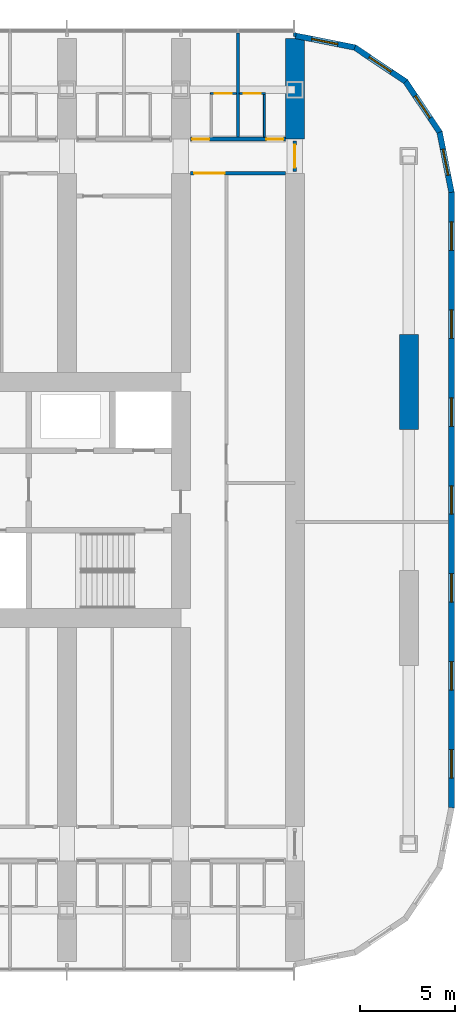
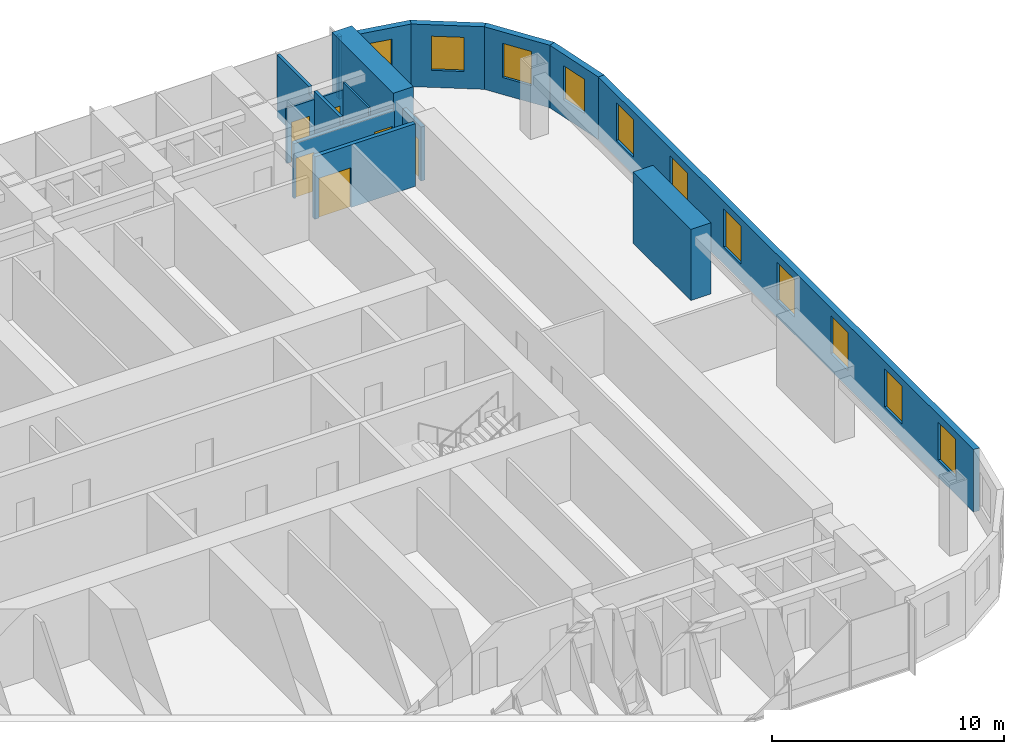
# One storey, part 19 of 24: 15 walls, 11 windows, 6 doors, 17 openings.
"""IFC4 building model written with IfcOpenShell, lengths in metres."""

from ifc_helpers import new_model, si_unit, direction, frame, frame_2d, origin, place, context, subcontext, project, spatial, polyline, rectangle, outline, extrude, material, layer, layer_set, type_object, element, fill, save


model = new_model("IFC4")

# Units and contexts
model_context = context("Model", 3, precision=1e-05, world=origin(), true_north=direction((0.0, 1.0)))
body_context = subcontext(model_context, "Body", "Model", "MODEL_VIEW")
ifc_project = project(units=[si_unit("LENGTHUNIT", "METRE"), si_unit("AREAUNIT", "SQUARE_METRE"), si_unit("VOLUMEUNIT", "CUBIC_METRE"), si_unit("PLANEANGLEUNIT", "RADIAN"), si_unit("MASSUNIT", "GRAM", prefix="KILO")], contexts=[model_context])

# Site, building, storey
site_placement = place(None, origin())
site = spatial("IfcSite", under=ifc_project, at=site_placement, CompositionType="ELEMENT")
building_placement = place(site_placement, origin())
building = spatial("IfcBuilding", under=site, at=building_placement, Name="Orbita Commons", CompositionType="ELEMENT")
storey_placement = place(building_placement, frame((0.0, 0.0, 35.199951171875)))
storey = spatial("IfcBuildingStorey", under=building, at=storey_placement, Name="L08", CompositionType="ELEMENT", Elevation=35.199951171875)

# Wall, openings, doors
ifc_material_1 = material(Name="Concrete blockwork", Category="masonry")
ifc_layer_1 = layer(ifc_material_1, 0.199951171875)
ifc_layer_set_1 = layer_set([ifc_layer_1], Name="Concrete blockwork")
wall_type_1 = type_object("IfcWallType", Name="Corridor wall 200 blockwork", PredefinedType="SOLIDWALL", material=ifc_layer_set_1)
wall_1_placement = place(storey_placement, frame((66.5, 51.0, 0.0), z_axis=(0.0, 0.0, 1.0), x_axis=(1.0, 0.0, 0.0)))
wall_1 = element("IfcWall", 1, at=wall_1_placement, inside=storey, type_object=wall_type_1, Name="Corridor wall 200 blockwork L08", PredefinedType="SOLIDWALL", context=body_context, shape_type="SweptSolid", body=[
    extrude(outline(polyline([(0.0, 0.0), (5.0, 0.0), (5.0, 2.900146484375), (0.0, 2.900146484375), (0.0, 0.0)])), frame((0.0, 0.10009765625, 0.0), z_axis=(0.0, -1.0, 0.0), x_axis=(1.0, 0.0, 0.0)), (0.0, 0.0, 1.0), 0.199951171875),
])
opening_1_placement = place(wall_1_placement, frame((0.10009765625, 0.0, 0.0)))
opening_1 = element("IfcOpeningElement", 2, at=opening_1_placement, cuts=wall_1, Name="Opening D11", PredefinedType="OPENING", context=body_context, shape_type="SweptSolid", body=[
    extrude(rectangle(XDim=0.89990234375, YDim=2.10009765625, at=frame_2d((0.449951171875, 1.050048828125))), frame((0.0, 0.10986328125, 0.0), z_axis=(0.0, -1.0, 0.0), x_axis=(1.0, 0.0, 0.0)), (0.0, 0.0, 1.0), 0.219970703125),
])
opening_2_placement = place(wall_1_placement, frame((4.0, 0.0, 0.0)))
opening_2 = element("IfcOpeningElement", 3, at=opening_2_placement, cuts=wall_1, Name="Opening D11", PredefinedType="OPENING", context=body_context, shape_type="SweptSolid", body=[
    extrude(rectangle(XDim=0.89990234375, YDim=2.10009765625, at=frame_2d((0.449951171875, 1.050048828125))), frame((0.0, 0.10986328125, 0.0), z_axis=(0.0, -1.0, 0.0), x_axis=(1.0, 0.0, 0.0)), (0.0, 0.0, 1.0), 0.219970703125),
])
ifc_material_2 = material(Name="Steel-faced fire door leaf", Category="steel")
door_type_1 = type_object("IfcDoorType", Name="Corridor door 20 min 900x2100", OperationType="SINGLE_SWING_LEFT", PredefinedType="DOOR", material=ifc_material_2)
door_1_placement = place(opening_1_placement, origin())
door_1 = element("IfcDoor", 4, at=door_1_placement, inside=storey, type_object=door_type_1, Name="House bedroom L08-N18 door", OperationType="SINGLE_SWING_LEFT", OverallHeight=2.10009765625, OverallWidth=0.89990234375, PredefinedType="DOOR", context=body_context, shape_type="SweptSolid", body=[
    extrude(rectangle(XDim=0.89990234375, YDim=2.10009765625, at=frame_2d((0.449951171875, 1.050048828125))), frame((0.0, 0.02490234375, 0.0), z_axis=(0.0, -1.0, 0.0), x_axis=(1.0, 0.0, 0.0)), (0.0, 0.0, 1.0), 0.050048828125),
])
fill(opening_1, door_1)
door_2_placement = place(opening_2_placement, origin())
door_2 = element("IfcDoor", 5, at=door_2_placement, inside=storey, type_object=door_type_1, Name="House bedroom L08-N19 door", OperationType="SINGLE_SWING_LEFT", OverallHeight=2.10009765625, OverallWidth=0.89990234375, PredefinedType="DOOR", context=body_context, shape_type="SweptSolid", body=[
    extrude(rectangle(XDim=0.89990234375, YDim=2.10009765625, at=frame_2d((0.449951171875, 1.050048828125))), frame((0.0, 0.02490234375, 0.0), z_axis=(0.0, -1.0, 0.0), x_axis=(1.0, 0.0, 0.0)), (0.0, 0.0, 1.0), 0.050048828125),
])
fill(opening_2, door_2)

# Wall, opening, door
wall_2_placement = place(storey_placement, frame((72.0, 49.300048828125, 0.0), z_axis=(0.0, 0.0, 1.0), x_axis=(0.0, 1.0, 0.0)))
wall_2 = element("IfcWall", 6, at=wall_2_placement, inside=storey, type_object=wall_type_1, Name="Corridor wall 200 blockwork L08", PredefinedType="SOLIDWALL", context=body_context, shape_type="SweptSolid", body=[
    extrude(outline(polyline([(0.0, 0.0), (1.599853515625, 0.0), (1.60009765625, 2.85009765625), (0.0, 2.85009765625), (0.0, 0.0)])), frame((0.0, 0.10009765625, 0.0), z_axis=(0.0, -1.0, 0.0), x_axis=(1.0, 0.0, 0.0)), (0.0, 0.0, 1.0), 0.199951171875),
])
opening_3_placement = place(wall_2_placement, frame((0.199951171875, 0.0, 0.0)))
opening_3 = element("IfcOpeningElement", 7, at=opening_3_placement, cuts=wall_2, Name="Opening D12", PredefinedType="OPENING", context=body_context, shape_type="SweptSolid", body=[
    extrude(rectangle(XDim=1.199951171875, YDim=2.10009765625, at=frame_2d((0.60009765625, 1.050048828125))), frame((0.0, 0.10986328125, 0.0), z_axis=(0.0, -1.0, 0.0), x_axis=(1.0, 0.0, 0.0)), (0.0, 0.0, 1.0), 0.219970703125),
])
ifc_material_3 = material(Name="Steel-faced fire door leaf", Category="steel")
door_type_2 = type_object("IfcDoorType", Name="Double corridor door 20 min 1200x2100", OperationType="DOUBLE_DOOR_SINGLE_SWING", PredefinedType="DOOR", material=ifc_material_3)
door_3_placement = place(opening_3_placement, origin())
door_3 = element("IfcDoor", 8, at=door_3_placement, inside=storey, type_object=door_type_2, Name="Lounge doors", OperationType="DOUBLE_DOOR_SINGLE_SWING", OverallHeight=2.10009765625, OverallWidth=1.199951171875, PredefinedType="DOOR", context=body_context, shape_type="SweptSolid", body=[
    extrude(rectangle(XDim=1.199951171875, YDim=2.10009765625, at=frame_2d((0.60009765625, 1.050048828125))), frame((0.0, 0.02490234375, 0.0), z_axis=(0.0, -1.0, 0.0), x_axis=(1.0, 0.0, 0.0)), (0.0, 0.0, 1.0), 0.050048828125),
])
fill(opening_3, door_3)

ifc_material_4 = material(Name="Hollow concrete block 200", Category="concrete")
ifc_layer_2 = layer(ifc_material_4, 0.199951171875)
ifc_layer_set_2 = layer_set([ifc_layer_2], Name="Hollow concrete block 200")
wall_type_2 = type_object("IfcWallType", Name="Corridor wall 200 hollow concrete block", PredefinedType="SOLIDWALL", material=ifc_layer_set_2)
wall_3_placement = place(storey_placement, frame((66.5, 49.199951171875, 0.0), z_axis=(0.0, 0.0, 1.0), x_axis=(1.0, 0.0, 0.0)))
wall_3 = element("IfcWall", 9, at=wall_3_placement, inside=storey, type_object=wall_type_2, Name="Corridor wall 200 hollow concrete block L08", PredefinedType="SOLIDWALL", context=body_context, shape_type="SweptSolid", body=[
    extrude(rectangle(XDim=5.0, YDim=0.199951171875, at=frame_2d((2.5, 0.0))), origin(), (0.0, 0.0, 1.0), 3.300048828125),
])
opening_4_placement = place(wall_3_placement, frame((0.199951171875, 0.0, 0.0)))
opening_4 = element("IfcOpeningElement", 10, at=opening_4_placement, cuts=wall_3, Name="Opening D10", PredefinedType="OPENING", context=body_context, shape_type="SweptSolid", body=[
    extrude(rectangle(XDim=1.60009765625, YDim=2.10009765625, at=frame_2d((0.800048828125, 1.050048828125))), frame((0.0, 0.10986328125, 0.0), z_axis=(0.0, -1.0, 0.0), x_axis=(1.0, 0.0, 0.0)), (0.0, 0.0, 1.0), 0.219970703125),
])
ifc_material_5 = material(Name="Steel-faced fire door leaf", Category="steel")
door_type_3 = type_object("IfcDoorType", Name="Double corridor door 20 min 1600x2100", OperationType="DOUBLE_DOOR_SINGLE_SWING", PredefinedType="DOOR", material=ifc_material_5)
door_4_placement = place(opening_4_placement, origin())
door_4 = element("IfcDoor", 11, at=door_4_placement, inside=storey, type_object=door_type_3, Name="Cross corridor doors", OperationType="DOUBLE_DOOR_SINGLE_SWING", OverallHeight=2.10009765625, OverallWidth=1.60009765625, PredefinedType="DOOR", context=body_context, shape_type="SweptSolid", body=[
    extrude(rectangle(XDim=1.60009765625, YDim=2.10009765625, at=frame_2d((0.800048828125, 1.050048828125))), frame((0.0, 0.02490234375, 0.0), z_axis=(0.0, -1.0, 0.0), x_axis=(1.0, 0.0, 0.0)), (0.0, 0.0, 1.0), 0.050048828125),
])
fill(opening_4, door_4)

# Wall
ifc_material_6 = material(Name="Concrete C50/60", Category="concrete")
ifc_layer_3 = layer(ifc_material_6, 1.0)
ifc_layer_set_3 = layer_set([ifc_layer_3], Name="Concrete C50/60")
wall_type_3 = type_object("IfcWallType", Name="Cross wall 1000 C50/60", PredefinedType="SHEAR", material=ifc_layer_set_3)
wall_4_placement = place(storey_placement, frame((72.0, 51.0, 0.0), z_axis=(0.0, 0.0, 1.0), x_axis=(0.0, 1.0, 0.0)))
element("IfcWall", 12, at=wall_4_placement, inside=storey, type_object=wall_type_3, Name="Cross wall 13 north outer L08", PredefinedType="SHEAR", context=body_context, shape_type="SweptSolid", body=[
    extrude(rectangle(XDim=5.300048828125, YDim=1.0, at=frame_2d((2.64990234375, 0.0))), origin(), (0.0, 0.0, 1.0), 3.75),
])

# Wall, opening, door
ifc_material_7 = material(Name="Moisture-resistant plasterboard on steel studs", Category="steel")
ifc_layer_4 = layer(ifc_material_7, 0.10009765625)
ifc_layer_set_4 = layer_set([ifc_layer_4], Name="Moisture-resistant plasterboard on steel studs")
wall_type_4 = type_object("IfcWallType", Name="En-suite partition 100", PredefinedType="PARTITIONING", material=ifc_layer_set_4)
wall_5_placement = place(storey_placement, frame((67.550048828125, 53.40185546875, 0.0), z_axis=(0.0, 0.0, 1.0), x_axis=(1.0, 0.0, 0.0)))
wall_5 = element("IfcWall", 13, at=wall_5_placement, inside=storey, type_object=wall_type_4, Name="En-suite partition 100 L08", PredefinedType="PARTITIONING", context=body_context, shape_type="SweptSolid", body=[
    extrude(outline(polyline([(0.0, 0.0), (1.375, 0.0), (1.375, 2.900146484375), (0.0, 2.900146484375), (0.0, 0.0)])), frame((0.0, 0.050048828125, 0.0), z_axis=(0.0, -1.0, 0.0), x_axis=(1.0, 0.0, 0.0)), (0.0, 0.0, 1.0), 0.10009765625),
])
opening_5_placement = place(wall_5_placement, frame((0.237548828125, 0.0, 0.0)))
opening_5 = element("IfcOpeningElement", 14, at=opening_5_placement, cuts=wall_5, Name="Opening D09", PredefinedType="OPENING", context=body_context, shape_type="SweptSolid", body=[
    extrude(rectangle(XDim=0.89990234375, YDim=2.10009765625, at=frame_2d((0.449951171875, 1.050048828125))), frame((0.0, 0.06005859375, 0.0), z_axis=(0.0, -1.0, 0.0), x_axis=(1.0, 0.0, 0.0)), (0.0, 0.0, 1.0), 0.1201171875),
])
ifc_material_8 = material(Name="Laminated timber door leaf", Category="wood")
door_type_4 = type_object("IfcDoorType", Name="En-suite door 900x2100", OperationType="SINGLE_SWING_RIGHT", PredefinedType="DOOR", material=ifc_material_8)
door_5_placement = place(opening_5_placement, origin())
door_5 = element("IfcDoor", 15, at=door_5_placement, inside=storey, type_object=door_type_4, Name="En-suite L08-N18 door", OperationType="SINGLE_SWING_RIGHT", OverallHeight=2.10009765625, OverallWidth=0.89990234375, PredefinedType="DOOR", context=body_context, shape_type="SweptSolid", body=[
    extrude(rectangle(XDim=0.89990234375, YDim=2.10009765625, at=frame_2d((0.449951171875, 1.050048828125))), frame((0.0, 0.02490234375, 0.0), z_axis=(0.0, -1.0, 0.0), x_axis=(1.0, 0.0, 0.0)), (0.0, 0.0, 1.0), 0.050048828125),
])
fill(opening_5, door_5)

wall_6_placement = place(storey_placement, frame((69.074951171875, 53.40185546875, 0.0), z_axis=(0.0, 0.0, 1.0), x_axis=(1.0, 0.0, 0.0)))
wall_6 = element("IfcWall", 16, at=wall_6_placement, inside=storey, type_object=wall_type_4, Name="En-suite partition 100 L08", PredefinedType="PARTITIONING", context=body_context, shape_type="SweptSolid", body=[
    extrude(outline(polyline([(0.0, 0.0), (1.375, 0.0), (1.375, 2.900146484375), (0.0, 2.900146484375), (0.0, 0.0)])), frame((0.0, 0.050048828125, 0.0), z_axis=(0.0, -1.0, 0.0), x_axis=(1.0, 0.0, 0.0)), (0.0, 0.0, 1.0), 0.10009765625),
])
opening_6_placement = place(wall_6_placement, frame((0.237548828125, 0.0, 0.0)))
opening_6 = element("IfcOpeningElement", 17, at=opening_6_placement, cuts=wall_6, Name="Opening D09", PredefinedType="OPENING", context=body_context, shape_type="SweptSolid", body=[
    extrude(rectangle(XDim=0.89990234375, YDim=2.10009765625, at=frame_2d((0.449951171875, 1.050048828125))), frame((0.0, 0.06005859375, 0.0), z_axis=(0.0, -1.0, 0.0), x_axis=(1.0, 0.0, 0.0)), (0.0, 0.0, 1.0), 0.1201171875),
])
door_6_placement = place(opening_6_placement, origin())
door_6 = element("IfcDoor", 18, at=door_6_placement, inside=storey, type_object=door_type_4, Name="En-suite L08-N19 door", OperationType="SINGLE_SWING_RIGHT", OverallHeight=2.10009765625, OverallWidth=0.89990234375, PredefinedType="DOOR", context=body_context, shape_type="SweptSolid", body=[
    extrude(rectangle(XDim=0.89990234375, YDim=2.10009765625, at=frame_2d((0.449951171875, 1.050048828125))), frame((0.0, 0.02490234375, 0.0), z_axis=(0.0, -1.0, 0.0), x_axis=(1.0, 0.0, 0.0)), (0.0, 0.0, 1.0), 0.050048828125),
])
fill(opening_6, door_6)

# Walls
wall_7_placement = place(storey_placement, frame((70.39990234375, 53.351806640625, 0.0), z_axis=(0.0, 0.0, 1.0), x_axis=(0.0, -1.0, 0.0)))
element("IfcWall", 19, at=wall_7_placement, inside=storey, type_object=wall_type_4, Name="En-suite partition 100 L08", PredefinedType="PARTITIONING", context=body_context, shape_type="SweptSolid", body=[
    extrude(outline(polyline([(0.0, 0.0), (2.251708984375, 0.0), (2.251953125, 2.900146484375), (2.203857421875, 2.900146484375), (2.201904296875, 3.300048828125), (0.0, 3.300048828125), (0.0, 0.0)])), frame((0.0, 0.050048828125, 0.0), z_axis=(0.0, -1.0, 0.0), x_axis=(1.0, 0.0, 0.0)), (0.0, 0.0, 1.0), 0.10009765625),
])
ifc_material_9 = material(Name="Concrete C50/60", Category="concrete")
ifc_layer_5 = layer(ifc_material_9, 1.0)
ifc_layer_set_5 = layer_set([ifc_layer_5], Name="Concrete C50/60")
wall_type_5 = type_object("IfcWallType", Name="End pier 1000x5000 C50/60", PredefinedType="SHEAR", material=ifc_layer_set_5)
wall_8_placement = place(storey_placement, frame((78.0, 35.699951171875, 0.0), z_axis=(0.0, 0.0, 1.0), x_axis=(0.0, 1.0, 0.0)))
element("IfcWall", 20, at=wall_8_placement, inside=storey, type_object=wall_type_5, Name="End pier 14/D L08", PredefinedType="SHEAR", context=body_context, shape_type="SweptSolid", body=[
    extrude(rectangle(XDim=5.0, YDim=1.0, at=frame_2d((2.5, 0.0))), origin(), (0.0, 0.0, 1.0), 3.75),
])
ifc_material_10 = material(Name="Gypsum plasterboard on steel studs", Category="steel")
ifc_layer_6 = layer(ifc_material_10, 0.14990234375)
ifc_layer_set_6 = layer_set([ifc_layer_6], Name="Gypsum plasterboard on steel studs")
wall_type_6 = type_object("IfcWallType", Name="Partition 150 plasterboard", PredefinedType="PARTITIONING", material=ifc_layer_set_6)
wall_9_placement = place(storey_placement, frame((72.0, 56.39990234375, 0.0), z_axis=(0.0, 0.0, 1.0), x_axis=(0.0, 1.0, 0.0)))
element("IfcWall", 21, at=wall_9_placement, inside=storey, type_object=wall_type_6, Name="Partition 150 plasterboard L08", PredefinedType="PARTITIONING", context=body_context, shape_type="SweptSolid", body=[
    extrude(rectangle(XDim=0.22021484375, YDim=0.14990234375, at=frame_2d((0.110107421875, 0.0))), origin(), (0.0, 0.0, 1.0), 3.300048828125),
])
ifc_material_11 = material(Name="Gypsum plasterboard on steel studs", Category="steel")
ifc_layer_7 = layer(ifc_material_11, 0.14990234375)
ifc_layer_set_7 = layer_set([ifc_layer_7], Name="Gypsum plasterboard on steel studs")
wall_type_7 = type_object("IfcWallType", Name="Party wall 150 plasterboard", PredefinedType="PARTITIONING", material=ifc_layer_set_7)
wall_10_placement = place(storey_placement, frame((69.0, 56.590087890625, 0.0), z_axis=(0.0, 0.0, 1.0), x_axis=(0.0, -1.0, 0.0)))
element("IfcWall", 22, at=wall_10_placement, inside=storey, type_object=wall_type_7, Name="Party wall 150 plasterboard L08", PredefinedType="PARTITIONING", context=body_context, shape_type="SweptSolid", body=[
    extrude(outline(polyline([(0.0, 0.0), (5.489990234375, 0.0), (5.489990234375, 2.900146484375), (5.44189453125, 2.900146484375), (5.43994140625, 3.300048828125), (3.19189453125, 3.300048828125), (3.18994140625, 2.900146484375), (2.7919921875, 2.900146484375), (2.7900390625, 3.300048828125), (0.0, 3.300048828125), (0.0, 0.0)])), frame((0.0, 0.074951171875, 0.0), z_axis=(0.0, -1.0, 0.0), x_axis=(1.0, 0.0, 0.0)), (0.0, 0.0, 1.0), 0.14990234375),
])

# Wall, openings, windows
ifc_material_12 = material(Name="Precast concrete C40/50, white board-marked finish", Category="concrete")
ifc_layer_8 = layer(ifc_material_12, 0.300048828125)
ifc_layer_set_8 = layer_set([ifc_layer_8], Name="Precast concrete C40/50, white board-marked finish")
wall_type_8 = type_object("IfcWallType", Name="Precast concrete end shield 300", PredefinedType="SOLIDWALL", material=ifc_layer_set_8)
wall_11_placement = place(storey_placement, frame((80.25, 15.800048828125, 0.0), z_axis=(0.0, 0.0, 1.0), x_axis=(0.0, 1.0, 0.0)))
wall_11 = element("IfcWall", 23, at=wall_11_placement, inside=storey, type_object=wall_type_8, Name="End shield E L08", PredefinedType="SOLIDWALL", context=body_context, shape_type="SweptSolid", body=[
    extrude(outline(polyline([(-0.014892578125, -0.14990234375), (32.414794921875, -0.14990234375), (32.385009765625, 0.14990234375), (0.014892578125, 0.14990234375), (-0.014892578125, -0.14990234375)])), origin(), (0.0, 0.0, 1.0), 3.300048828125),
])
opening_7_placement = place(wall_11_placement, frame((1.564208984375, 0.0, 0.89990234375)))
opening_7 = element("IfcOpeningElement", 24, at=opening_7_placement, cuts=wall_11, Name="Opening W01", PredefinedType="OPENING", context=body_context, shape_type="SweptSolid", body=[
    extrude(rectangle(XDim=1.5, YDim=2.0, at=frame_2d((0.75, 1.0))), frame((0.0, 0.159912109375, 0.0), z_axis=(0.0, -1.0, 0.0), x_axis=(1.0, 0.0, 0.0)), (0.0, 0.0, 1.0), 0.320068359375),
])
opening_8_placement = place(wall_11_placement, frame((6.19287109375, 0.0, 0.89990234375)))
opening_8 = element("IfcOpeningElement", 25, at=opening_8_placement, cuts=wall_11, Name="Opening W01", PredefinedType="OPENING", context=body_context, shape_type="SweptSolid", body=[
    extrude(rectangle(XDim=1.5, YDim=2.0, at=frame_2d((0.75, 1.0))), frame((0.0, 0.159912109375, 0.0), z_axis=(0.0, -1.0, 0.0), x_axis=(1.0, 0.0, 0.0)), (0.0, 0.0, 1.0), 0.320068359375),
])
opening_9_placement = place(wall_11_placement, frame((10.821533203125, 0.0, 0.89990234375)))
opening_9 = element("IfcOpeningElement", 26, at=opening_9_placement, cuts=wall_11, Name="Opening W01", PredefinedType="OPENING", context=body_context, shape_type="SweptSolid", body=[
    extrude(rectangle(XDim=1.5, YDim=2.0, at=frame_2d((0.75, 1.0))), frame((0.0, 0.159912109375, 0.0), z_axis=(0.0, -1.0, 0.0), x_axis=(1.0, 0.0, 0.0)), (0.0, 0.0, 1.0), 0.320068359375),
])
opening_10_placement = place(wall_11_placement, frame((15.449951171875, 0.0, 0.89990234375)))
opening_10 = element("IfcOpeningElement", 27, at=opening_10_placement, cuts=wall_11, Name="Opening W01", PredefinedType="OPENING", context=body_context, shape_type="SweptSolid", body=[
    extrude(rectangle(XDim=1.5, YDim=2.0, at=frame_2d((0.75, 1.0))), frame((0.0, 0.159912109375, 0.0), z_axis=(0.0, -1.0, 0.0), x_axis=(1.0, 0.0, 0.0)), (0.0, 0.0, 1.0), 0.320068359375),
])
opening_11_placement = place(wall_11_placement, frame((20.07861328125, 0.0, 0.89990234375)))
opening_11 = element("IfcOpeningElement", 28, at=opening_11_placement, cuts=wall_11, Name="Opening W01", PredefinedType="OPENING", context=body_context, shape_type="SweptSolid", body=[
    extrude(rectangle(XDim=1.5, YDim=2.0, at=frame_2d((0.75, 1.0))), frame((0.0, 0.159912109375, 0.0), z_axis=(0.0, -1.0, 0.0), x_axis=(1.0, 0.0, 0.0)), (0.0, 0.0, 1.0), 0.320068359375),
])
opening_12_placement = place(wall_11_placement, frame((24.70703125, 0.0, 0.89990234375)))
opening_12 = element("IfcOpeningElement", 29, at=opening_12_placement, cuts=wall_11, Name="Opening W01", PredefinedType="OPENING", context=body_context, shape_type="SweptSolid", body=[
    extrude(rectangle(XDim=1.5, YDim=2.0, at=frame_2d((0.75, 1.0))), frame((0.0, 0.159912109375, 0.0), z_axis=(0.0, -1.0, 0.0), x_axis=(1.0, 0.0, 0.0)), (0.0, 0.0, 1.0), 0.320068359375),
])
opening_13_placement = place(wall_11_placement, frame((29.335693359375, 0.0, 0.89990234375)))
opening_13 = element("IfcOpeningElement", 30, at=opening_13_placement, cuts=wall_11, Name="Opening W01", PredefinedType="OPENING", context=body_context, shape_type="SweptSolid", body=[
    extrude(rectangle(XDim=1.5, YDim=2.0, at=frame_2d((0.75, 1.0))), frame((0.0, 0.159912109375, 0.0), z_axis=(0.0, -1.0, 0.0), x_axis=(1.0, 0.0, 0.0)), (0.0, 0.0, 1.0), 0.320068359375),
])
ifc_material_13 = material(Name="Aluminium frame, clear double glazing", Category="aluminium")
window_type_1 = type_object("IfcWindowType", Name="Deep-set window 1500x2000", PartitioningType="SINGLE_PANEL", PredefinedType="WINDOW", material=ifc_material_13)
window_1_placement = place(opening_7_placement, origin())
window_1 = element("IfcWindow", 31, at=window_1_placement, inside=storey, type_object=window_type_1, Name="Window L08-E 1", OverallHeight=2.0, OverallWidth=1.5, PartitioningType="SINGLE_PANEL", PredefinedType="WINDOW", context=body_context, shape_type="SweptSolid", body=[
    extrude(rectangle(XDim=1.5, YDim=2.0, at=frame_2d((0.75, 1.0))), frame((0.0, 0.030029296875, 0.0), z_axis=(0.0, -1.0, 0.0), x_axis=(1.0, 0.0, 0.0)), (0.0, 0.0, 1.0), 0.06005859375),
])
fill(opening_7, window_1)
window_2_placement = place(opening_8_placement, origin())
window_2 = element("IfcWindow", 32, at=window_2_placement, inside=storey, type_object=window_type_1, Name="Window L08-E 2", OverallHeight=2.0, OverallWidth=1.5, PartitioningType="SINGLE_PANEL", PredefinedType="WINDOW", context=body_context, shape_type="SweptSolid", body=[
    extrude(rectangle(XDim=1.5, YDim=2.0, at=frame_2d((0.75, 1.0))), frame((0.0, 0.030029296875, 0.0), z_axis=(0.0, -1.0, 0.0), x_axis=(1.0, 0.0, 0.0)), (0.0, 0.0, 1.0), 0.06005859375),
])
fill(opening_8, window_2)
window_3_placement = place(opening_9_placement, origin())
window_3 = element("IfcWindow", 33, at=window_3_placement, inside=storey, type_object=window_type_1, Name="Window L08-E 3", OverallHeight=2.0, OverallWidth=1.5, PartitioningType="SINGLE_PANEL", PredefinedType="WINDOW", context=body_context, shape_type="SweptSolid", body=[
    extrude(rectangle(XDim=1.5, YDim=2.0, at=frame_2d((0.75, 1.0))), frame((0.0, 0.030029296875, 0.0), z_axis=(0.0, -1.0, 0.0), x_axis=(1.0, 0.0, 0.0)), (0.0, 0.0, 1.0), 0.06005859375),
])
fill(opening_9, window_3)
window_4_placement = place(opening_10_placement, origin())
window_4 = element("IfcWindow", 34, at=window_4_placement, inside=storey, type_object=window_type_1, Name="Window L08-E 4", OverallHeight=2.0, OverallWidth=1.5, PartitioningType="SINGLE_PANEL", PredefinedType="WINDOW", context=body_context, shape_type="SweptSolid", body=[
    extrude(rectangle(XDim=1.5, YDim=2.0, at=frame_2d((0.75, 1.0))), frame((0.0, 0.030029296875, 0.0), z_axis=(0.0, -1.0, 0.0), x_axis=(1.0, 0.0, 0.0)), (0.0, 0.0, 1.0), 0.06005859375),
])
fill(opening_10, window_4)
window_5_placement = place(opening_11_placement, origin())
window_5 = element("IfcWindow", 35, at=window_5_placement, inside=storey, type_object=window_type_1, Name="Window L08-E 5", OverallHeight=2.0, OverallWidth=1.5, PartitioningType="SINGLE_PANEL", PredefinedType="WINDOW", context=body_context, shape_type="SweptSolid", body=[
    extrude(rectangle(XDim=1.5, YDim=2.0, at=frame_2d((0.75, 1.0))), frame((0.0, 0.030029296875, 0.0), z_axis=(0.0, -1.0, 0.0), x_axis=(1.0, 0.0, 0.0)), (0.0, 0.0, 1.0), 0.06005859375),
])
fill(opening_11, window_5)
window_6_placement = place(opening_12_placement, origin())
window_6 = element("IfcWindow", 36, at=window_6_placement, inside=storey, type_object=window_type_1, Name="Window L08-E 6", OverallHeight=2.0, OverallWidth=1.5, PartitioningType="SINGLE_PANEL", PredefinedType="WINDOW", context=body_context, shape_type="SweptSolid", body=[
    extrude(rectangle(XDim=1.5, YDim=2.0, at=frame_2d((0.75, 1.0))), frame((0.0, 0.030029296875, 0.0), z_axis=(0.0, -1.0, 0.0), x_axis=(1.0, 0.0, 0.0)), (0.0, 0.0, 1.0), 0.06005859375),
])
fill(opening_12, window_6)
window_7_placement = place(opening_13_placement, origin())
window_7 = element("IfcWindow", 37, at=window_7_placement, inside=storey, type_object=window_type_1, Name="Window L08-E 7", OverallHeight=2.0, OverallWidth=1.5, PartitioningType="SINGLE_PANEL", PredefinedType="WINDOW", context=body_context, shape_type="SweptSolid", body=[
    extrude(rectangle(XDim=1.5, YDim=2.0, at=frame_2d((0.75, 1.0))), frame((0.0, 0.030029296875, 0.0), z_axis=(0.0, -1.0, 0.0), x_axis=(1.0, 0.0, 0.0)), (0.0, 0.0, 1.0), 0.06005859375),
])
fill(opening_13, window_7)

# Wall, opening, window
wall_12_placement = place(storey_placement, frame((80.25, 48.199951171875, 0.0), z_axis=(0.0, 0.0, 1.0), x_axis=(-0.195065901187, 0.980790137692, 0.0)))
wall_12 = element("IfcWall", 38, at=wall_12_placement, inside=storey, type_object=wall_type_8, Name="End shield NE chord 1 L08", PredefinedType="SOLIDWALL", context=body_context, shape_type="SweptSolid", body=[
    extrude(outline(polyline([(-0.014892578125, -0.14990234375), (3.248779296875, -0.14990234375), (3.189208984375, 0.14990234375), (0.014892578125, 0.14990234375), (-0.014892578125, -0.14990234375)])), origin(), (0.0, 0.0, 1.0), 3.300048828125),
])
opening_14_placement = place(wall_12_placement, frame((0.909423828125, 0.0, 0.89990234375)))
opening_14 = element("IfcOpeningElement", 39, at=opening_14_placement, cuts=wall_12, Name="Opening W02", PredefinedType="OPENING", context=body_context, shape_type="SweptSolid", body=[
    extrude(rectangle(XDim=1.39990234375, YDim=1.800048828125, at=frame_2d((0.699951171875, 0.89990234375))), frame((0.0, 0.159912109375, 0.0), z_axis=(0.0, -1.0, 0.0), x_axis=(1.0, 0.0, 0.0)), (0.0, 0.0, 1.0), 0.320068359375),
])
ifc_material_14 = material(Name="Aluminium frame, clear double glazing", Category="aluminium")
window_type_2 = type_object("IfcWindowType", Name="Deep-set window 1400x1800", PartitioningType="SINGLE_PANEL", PredefinedType="WINDOW", material=ifc_material_14)
window_8_placement = place(opening_14_placement, origin())
window_8 = element("IfcWindow", 40, at=window_8_placement, inside=storey, type_object=window_type_2, Name="Window L08-NE0", OverallHeight=1.800048828125, OverallWidth=1.39990234375, PartitioningType="SINGLE_PANEL", PredefinedType="WINDOW", context=body_context, shape_type="SweptSolid", body=[
    extrude(rectangle(XDim=1.39990234375, YDim=1.800048828125, at=frame_2d((0.699951171875, 0.89990234375))), frame((0.0, 0.030029296875, 0.0), z_axis=(0.0, -1.0, 0.0), x_axis=(1.0, 0.0, 0.0)), (0.0, 0.0, 1.0), 0.06005859375),
])
fill(opening_14, window_8)

wall_13_placement = place(storey_placement, frame((79.6220703125, 51.357177734375, 0.0), z_axis=(0.0, 0.0, 1.0), x_axis=(-0.555609954424, 0.831443069936, 0.0)))
wall_13 = element("IfcWall", 41, at=wall_13_placement, inside=storey, type_object=wall_type_8, Name="End shield NE chord 2 L08", PredefinedType="SOLIDWALL", context=body_context, shape_type="SweptSolid", body=[
    extrude(outline(polyline([(-0.02978515625, -0.14990234375), (3.2490234375, -0.14990234375), (3.189453125, 0.14990234375), (0.02978515625, 0.14990234375), (-0.02978515625, -0.14990234375)])), origin(), (0.0, 0.0, 1.0), 3.300048828125),
])
opening_15_placement = place(wall_13_placement, frame((0.909423828125, 0.0, 0.89990234375)))
opening_15 = element("IfcOpeningElement", 42, at=opening_15_placement, cuts=wall_13, Name="Opening W02", PredefinedType="OPENING", context=body_context, shape_type="SweptSolid", body=[
    extrude(rectangle(XDim=1.39990234375, YDim=1.800048828125, at=frame_2d((0.699951171875, 0.89990234375))), frame((0.0, 0.159912109375, 0.0), z_axis=(0.0, -1.0, 0.0), x_axis=(1.0, 0.0, 0.0)), (0.0, 0.0, 1.0), 0.320068359375),
])
window_9_placement = place(opening_15_placement, origin())
window_9 = element("IfcWindow", 43, at=window_9_placement, inside=storey, type_object=window_type_2, Name="Window L08-NE1", OverallHeight=1.800048828125, OverallWidth=1.39990234375, PartitioningType="SINGLE_PANEL", PredefinedType="WINDOW", context=body_context, shape_type="SweptSolid", body=[
    extrude(rectangle(XDim=1.39990234375, YDim=1.800048828125, at=frame_2d((0.699951171875, 0.89990234375))), frame((0.0, 0.030029296875, 0.0), z_axis=(0.0, -1.0, 0.0), x_axis=(1.0, 0.0, 0.0)), (0.0, 0.0, 1.0), 0.06005859375),
])
fill(opening_15, window_9)

wall_14_placement = place(storey_placement, frame((77.83349609375, 54.03369140625, 0.0), z_axis=(0.0, 0.0, 1.0), x_axis=(-0.831478105043, 0.555557522525, 0.0)))
wall_14 = element("IfcWall", 44, at=wall_14_placement, inside=storey, type_object=wall_type_8, Name="End shield NE chord 3 L08", PredefinedType="SOLIDWALL", context=body_context, shape_type="SweptSolid", body=[
    extrude(outline(polyline([(-0.02978515625, -0.14990234375), (3.248779296875, -0.14990234375), (3.189208984375, 0.14990234375), (0.02978515625, 0.14990234375), (-0.02978515625, -0.14990234375)])), origin(), (0.0, 0.0, 1.0), 3.300048828125),
])
opening_16_placement = place(wall_14_placement, frame((0.909423828125, 0.0, 0.89990234375)))
opening_16 = element("IfcOpeningElement", 45, at=opening_16_placement, cuts=wall_14, Name="Opening W02", PredefinedType="OPENING", context=body_context, shape_type="SweptSolid", body=[
    extrude(rectangle(XDim=1.39990234375, YDim=1.800048828125, at=frame_2d((0.699951171875, 0.89990234375))), frame((0.0, 0.159912109375, 0.0), z_axis=(0.0, -1.0, 0.0), x_axis=(1.0, 0.0, 0.0)), (0.0, 0.0, 1.0), 0.320068359375),
])
window_10_placement = place(opening_16_placement, origin())
window_10 = element("IfcWindow", 46, at=window_10_placement, inside=storey, type_object=window_type_2, Name="Window L08-NE2", OverallHeight=1.800048828125, OverallWidth=1.39990234375, PartitioningType="SINGLE_PANEL", PredefinedType="WINDOW", context=body_context, shape_type="SweptSolid", body=[
    extrude(rectangle(XDim=1.39990234375, YDim=1.800048828125, at=frame_2d((0.699951171875, 0.89990234375))), frame((0.0, 0.030029296875, 0.0), z_axis=(0.0, -1.0, 0.0), x_axis=(1.0, 0.0, 0.0)), (0.0, 0.0, 1.0), 0.06005859375),
])
fill(opening_16, window_10)

wall_15_placement = place(storey_placement, frame((75.156982421875, 55.822021484375, 0.0), z_axis=(0.0, 0.0, 1.0), x_axis=(-0.980787251524, 0.195080412259, 0.0)))
wall_15 = element("IfcWall", 47, at=wall_15_placement, inside=storey, type_object=wall_type_8, Name="End shield NE chord 4 L08", PredefinedType="SOLIDWALL", context=body_context, shape_type="SweptSolid", body=[
    extrude(outline(polyline([(-0.02978515625, -0.14990234375), (3.24853515625, -0.14990234375), (3.18896484375, 0.14990234375), (0.02978515625, 0.14990234375), (-0.02978515625, -0.14990234375)])), origin(), (0.0, 0.0, 1.0), 3.300048828125),
])
opening_17_placement = place(wall_15_placement, frame((0.909423828125, 0.0, 0.89990234375)))
opening_17 = element("IfcOpeningElement", 48, at=opening_17_placement, cuts=wall_15, Name="Opening W02", PredefinedType="OPENING", context=body_context, shape_type="SweptSolid", body=[
    extrude(rectangle(XDim=1.39990234375, YDim=1.800048828125, at=frame_2d((0.699951171875, 0.89990234375))), frame((0.0, 0.159912109375, 0.0), z_axis=(0.0, -1.0, 0.0), x_axis=(1.0, 0.0, 0.0)), (0.0, 0.0, 1.0), 0.320068359375),
])
window_11_placement = place(opening_17_placement, origin())
window_11 = element("IfcWindow", 49, at=window_11_placement, inside=storey, type_object=window_type_2, Name="Window L08-NE3", OverallHeight=1.800048828125, OverallWidth=1.39990234375, PartitioningType="SINGLE_PANEL", PredefinedType="WINDOW", context=body_context, shape_type="SweptSolid", body=[
    extrude(rectangle(XDim=1.39990234375, YDim=1.800048828125, at=frame_2d((0.699951171875, 0.89990234375))), frame((0.0, 0.030029296875, 0.0), z_axis=(0.0, -1.0, 0.0), x_axis=(1.0, 0.0, 0.0)), (0.0, 0.0, 1.0), 0.06005859375),
])
fill(opening_17, window_11)

save(model, "model.ifc")
